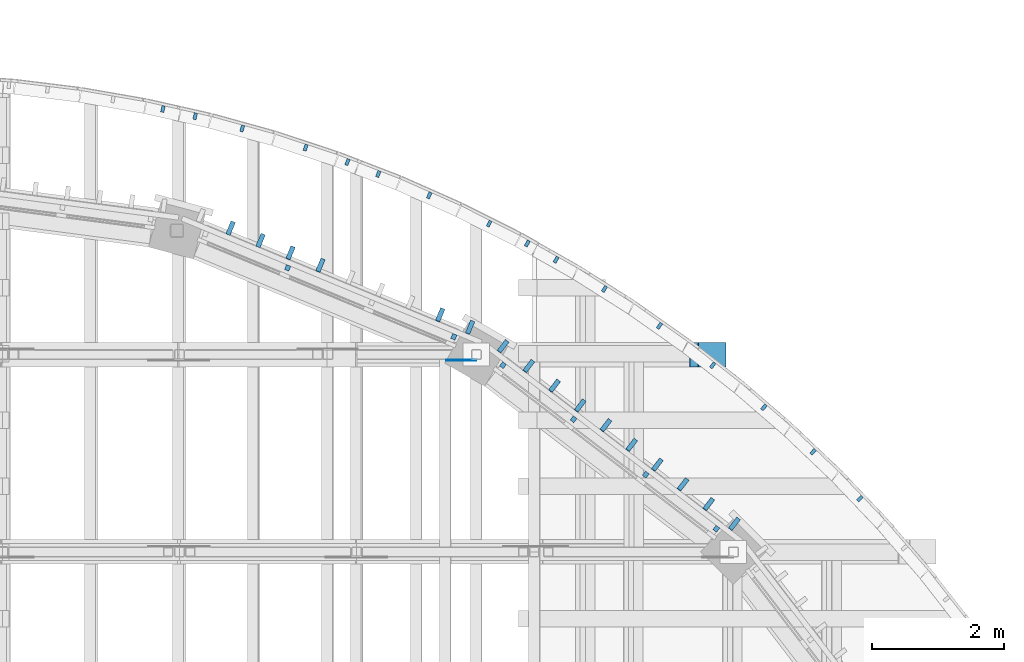
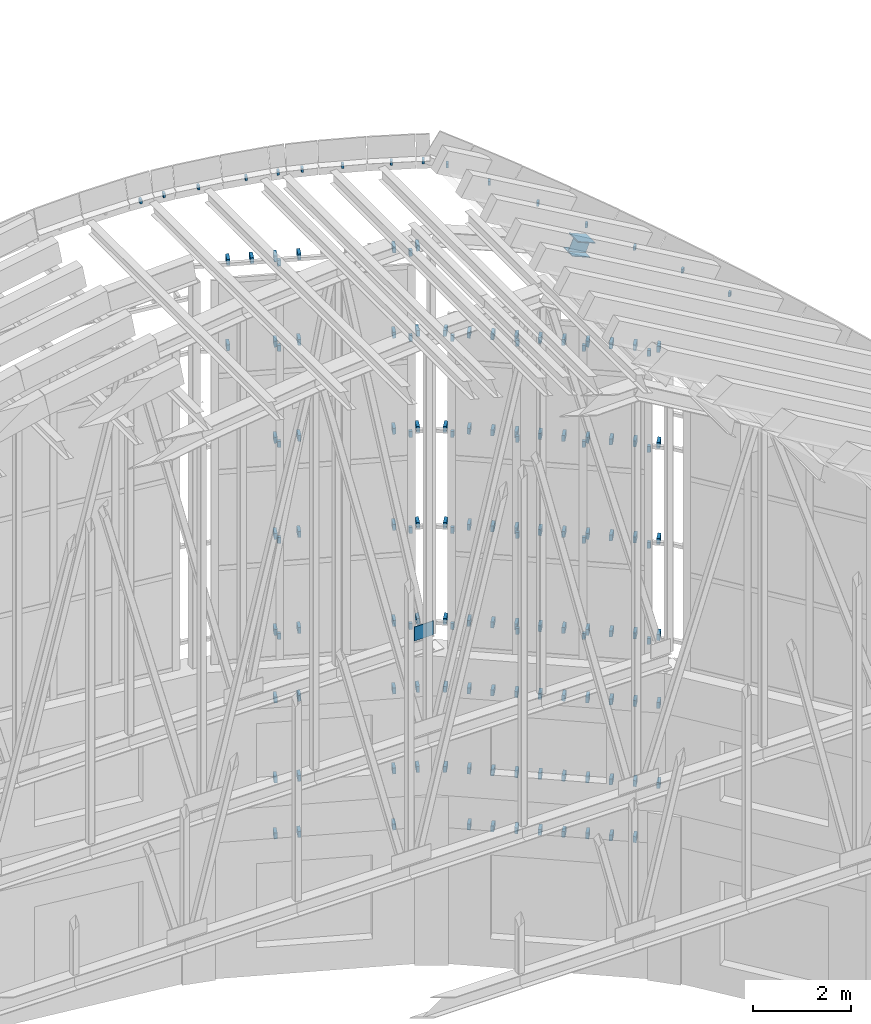
# One storey, part 81 of 105: 146 discrete accessories.
"""IFC4 building model written with IfcOpenShell, lengths in metres."""

from ifc_helpers import new_model, si_unit, direction, frame, origin, origin_2d, place, context, subcontext, project, spatial, polyline, rectangle, i_section, outline, extrude, material, material_profile, profile_set, type_object, element, save


model = new_model("IFC4")

# Units and contexts
model_context = context("Model", 3, precision=1e-05, world=origin(), true_north=direction((0.0, 1.0)))
body_context = subcontext(model_context, "Body", "Model", "MODEL_VIEW")
ifc_project = project(units=[si_unit("LENGTHUNIT", "METRE"), si_unit("AREAUNIT", "SQUARE_METRE"), si_unit("VOLUMEUNIT", "CUBIC_METRE"), si_unit("PLANEANGLEUNIT", "RADIAN"), si_unit("MASSUNIT", "GRAM", prefix="KILO")], contexts=[model_context])

# Site, building, storey
site_placement = place(None, origin())
site = spatial("IfcSite", under=ifc_project, at=site_placement, CompositionType="ELEMENT")
building_placement = place(site_placement, origin())
building = spatial("IfcBuilding", under=site, at=building_placement, Name="Wasatch Bagh Community Centre", CompositionType="ELEMENT")
storey_placement = place(building_placement, frame((0.0, 0.0, 16.800048828125)))
storey = spatial("IfcBuildingStorey", under=building, at=storey_placement, Name="L04", CompositionType="ELEMENT", Elevation=16.800048828125)

# Discrete accessories
ifc_material_1 = material(Name="ASTM A36 steel", Category="steel")
discrete_accessory_type_1 = type_object("IfcDiscreteAccessoryType", Name="MH fascia bracket", PredefinedType="BRACKET", material=ifc_material_1)
for number, where, z_axis, x_axis, name in (
    (1, (40.640625, 84.949462890625, 18.222900390625), (0.0, 0.0, 1.0), (0.219101240157, 0.975702130039, 0.0), "Fascia bracket 129"),
    (2, (41.127685546875, 84.840087890625, 18.27197265625), (0.0, 0.0, 1.0), (0.219101240157, 0.975702130039, 0.0), "Fascia bracket 130"),
    (3, (41.83935546875, 84.655029296875, 18.326904296875), (0.0, 0.0, 1.0), (0.266712757475, 0.963776065795, 0.0), "Fascia bracket 131"),
    (4, (42.797119140625, 84.364501953125, 18.401123046875), (0.0, 0.0, 1.0), (0.313681740399, 0.949528180593, 0.0), "Fascia bracket 132"),
    (5, (43.4287109375, 84.147216796875, 18.449951171875), (0.0, 0.0, 1.0), (0.359895036535, 0.932992798835, 0.0), "Fascia bracket 133"),
    (6, (43.894775390625, 83.967529296875, 18.46875), (0.0, 0.0, 1.0), (0.359895036535, 0.932992798835, 0.0), "Fascia bracket 134"),
    (7, (44.66455078125, 83.644287109375, 18.488525390625), (0.0, 0.0, 1.0), (0.405241314005, 0.914209755704, 0.0), "Fascia bracket 135"),
    (8, (45.5693359375, 83.21630859375, 18.511962890625), (0.0, 0.0, 1.0), (0.449611329655, 0.893224301196, 0.0), "Fascia bracket 136"),
    (9, (46.14599609375, 82.917724609375, 18.526611328125), (0.0, 0.0, 1.0), (0.49289819223, 0.870086991109, 0.0), "Fascia bracket 137"),
    (10, (46.58056640625, 82.671630859375, 18.4228515625), (0.0, 0.0, 1.0), (0.49289819223, 0.870086991109, 0.0), "Fascia bracket 138"),
    (11, (47.310791015625, 82.229736328125, 18.002685546875), (0.0, 0.0, 1.0), (0.534997619887, 0.84485356525, 0.0), "Fascia bracket 139"),
    (12, (48.14306640625, 81.673828125, 17.523193359375), (0.0, 0.0, 1.0), (0.575808191418, 0.817584813152, 0.0), "Fascia bracket 140"),
    (13, (48.947021484375, 81.077392578125, 17.060302734375), (0.0, 0.0, 1.0), (0.615231590581, 0.788346427627, 0.0), "Fascia bracket 141"),
    (14, (49.720703125, 80.4423828125, 16.614501953125), (0.0, 0.0, 1.0), (0.653172842954, 0.757208846506, 0.0), "Fascia bracket 142"),
    (15, (50.46240234375, 79.770263671875, 16.1875), (0.0, 0.0, 1.0), (0.689540544737, 0.724247082951, 0.0), "Fascia bracket 143"),
    (16, (51.170166015625, 79.0625, 15.77978515625), (0.0, 0.0, 1.0), (0.724247082951, 0.689540544737, 0.0), "Fascia bracket 144"),
):
    element("IfcDiscreteAccessory", number, at=place(storey_placement, frame(where, z_axis=z_axis, x_axis=x_axis)), inside=storey, type_object=discrete_accessory_type_1, Name=name, PredefinedType="BRACKET", context=body_context, shape_type="SweptSolid", body=[
        extrude(rectangle(XDim=0.10009765625, YDim=0.050048828125, at=origin_2d()), origin(), (0.0, 0.0, 1.0), 0.10009765625),
    ])
discrete_accessory_type_2 = type_object("IfcDiscreteAccessoryType", Name="MH fin bracket", PredefinedType="BRACKET", material=ifc_material_1)
for number, where, z_axis, x_axis, name in (
    (17, (49.277099609375, 78.684814453125, 4.425048828125), (0.0, 0.0, 1.0), (-0.793353340291, 0.608761429009, 0.0), "Fin bracket 22.1.5"),
    (18, (49.277099609375, 78.684814453125, 6.425048828125), (0.0, 0.0, 1.0), (-0.793353340291, 0.608761429009, 0.0), "Fin bracket 22.1.6"),
    (19, (48.888916015625, 78.98291015625, 3.02490234375), (0.0, 0.0, 1.0), (-0.793353340291, 0.608761429009, 0.0), "Fin bracket 22.2.4"),
    (20, (48.888916015625, 78.98291015625, 4.425048828125), (0.0, 0.0, 1.0), (-0.793353340291, 0.608761429009, 0.0), "Fin bracket 22.2.5"),
    (21, (48.888916015625, 78.98291015625, 6.425048828125), (0.0, 0.0, 1.0), (-0.793353340291, 0.608761429009, 0.0), "Fin bracket 22.2.6"),
    (22, (48.50048828125, 79.28076171875, 3.02490234375), (0.0, 0.0, 1.0), (-0.793353340291, 0.608761429009, 0.0), "Fin bracket 22.3.4"),
    (23, (48.50048828125, 79.28076171875, 4.425048828125), (0.0, 0.0, 1.0), (-0.793353340291, 0.608761429009, 0.0), "Fin bracket 22.3.5"),
    (24, (48.50048828125, 79.28076171875, 6.425048828125), (0.0, 0.0, 1.0), (-0.793353340291, 0.608761429009, 0.0), "Fin bracket 22.3.6"),
    (25, (48.112060546875, 79.578857421875, 3.02490234375), (0.0, 0.0, 1.0), (-0.793353340291, 0.608761429009, 0.0), "Fin bracket 22.4.4"),
    (26, (48.112060546875, 79.578857421875, 4.425048828125), (0.0, 0.0, 1.0), (-0.793353340291, 0.608761429009, 0.0), "Fin bracket 22.4.5"),
    (27, (48.112060546875, 79.578857421875, 6.425048828125), (0.0, 0.0, 1.0), (-0.793353340291, 0.608761429009, 0.0), "Fin bracket 22.4.6"),
    (28, (47.723876953125, 79.876708984375, 3.02490234375), (0.0, 0.0, 1.0), (-0.793353340291, 0.608761429009, 0.0), "Fin bracket 22.5.4"),
    (29, (47.723876953125, 79.876708984375, 4.425048828125), (0.0, 0.0, 1.0), (-0.793353340291, 0.608761429009, 0.0), "Fin bracket 22.5.5"),
    (30, (47.723876953125, 79.876708984375, 6.425048828125), (0.0, 0.0, 1.0), (-0.793353340291, 0.608761429009, 0.0), "Fin bracket 22.5.6"),
    (31, (47.33544921875, 80.1748046875, 3.02490234375), (0.0, 0.0, 1.0), (-0.793353340291, 0.608761429009, 0.0), "Fin bracket 22.6.4"),
    (32, (47.33544921875, 80.1748046875, 4.425048828125), (0.0, 0.0, 1.0), (-0.793353340291, 0.608761429009, 0.0), "Fin bracket 22.6.5"),
    (33, (47.33544921875, 80.1748046875, 6.425048828125), (0.0, 0.0, 1.0), (-0.793353340291, 0.608761429009, 0.0), "Fin bracket 22.6.6"),
    (34, (46.947265625, 80.47265625, 3.02490234375), (0.0, 0.0, 1.0), (-0.793353340291, 0.608761429009, 0.0), "Fin bracket 22.7.4"),
    (35, (46.947265625, 80.47265625, 4.425048828125), (0.0, 0.0, 1.0), (-0.793353340291, 0.608761429009, 0.0), "Fin bracket 22.7.5"),
    (36, (46.947265625, 80.47265625, 6.425048828125), (0.0, 0.0, 1.0), (-0.793353340291, 0.608761429009, 0.0), "Fin bracket 22.7.6"),
    (37, (46.558837890625, 80.770751953125, 3.02490234375), (0.0, 0.0, 1.0), (-0.793353340291, 0.608761429009, 0.0), "Fin bracket 22.8.4"),
    (38, (46.558837890625, 80.770751953125, 4.425048828125), (0.0, 0.0, 1.0), (-0.793353340291, 0.608761429009, 0.0), "Fin bracket 22.8.5"),
    (39, (46.558837890625, 80.770751953125, 6.425048828125), (0.0, 0.0, 1.0), (-0.793353340291, 0.608761429009, 0.0), "Fin bracket 22.8.6"),
    (40, (46.170654296875, 81.068603515625, 3.02490234375), (0.0, 0.0, 1.0), (-0.793353340291, 0.608761429009, 0.0), "Fin bracket 22.9.4"),
    (41, (46.170654296875, 81.068603515625, 4.425048828125), (0.0, 0.0, 1.0), (-0.793353340291, 0.608761429009, 0.0), "Fin bracket 22.9.5"),
    (42, (46.170654296875, 81.068603515625, 6.425048828125), (0.0, 0.0, 1.0), (-0.793353340291, 0.608761429009, 0.0), "Fin bracket 22.9.6"),
    (43, (45.7822265625, 81.36669921875, 4.425048828125), (0.0, 0.0, 1.0), (-0.793353340291, 0.608761429009, 0.0), "Fin bracket 22.10.5"),
    (44, (45.7822265625, 81.36669921875, 6.425048828125), (0.0, 0.0, 1.0), (-0.793353340291, 0.608761429009, 0.0), "Fin bracket 22.10.6"),
    (45, (45.28271484375, 81.655029296875, 4.425048828125), (0.0, 0.0, 1.0), (-0.923879532511, 0.382683432365, 0.0), "Fin bracket 23.1.5"),
    (46, (45.28271484375, 81.655029296875, 6.425048828125), (0.0, 0.0, 1.0), (-0.923879532511, 0.382683432365, 0.0), "Fin bracket 23.1.6"),
    (47, (44.83056640625, 81.84228515625, 3.02490234375), (0.0, 0.0, 1.0), (-0.923879532511, 0.382683432365, 0.0), "Fin bracket 23.2.4"),
    (48, (44.83056640625, 81.84228515625, 4.425048828125), (0.0, 0.0, 1.0), (-0.923879532511, 0.382683432365, 0.0), "Fin bracket 23.2.5"),
    (49, (44.83056640625, 81.84228515625, 6.425048828125), (0.0, 0.0, 1.0), (-0.923879532511, 0.382683432365, 0.0), "Fin bracket 23.2.6"),
    (50, (43.021728515625, 82.591552734375, 3.02490234375), (0.0, 0.0, 1.0), (-0.923879532511, 0.382683432365, 0.0), "Fin bracket 23.6.4"),
    (51, (43.021728515625, 82.591552734375, 4.425048828125), (0.0, 0.0, 1.0), (-0.923879532511, 0.382683432365, 0.0), "Fin bracket 23.6.5"),
    (52, (43.021728515625, 82.591552734375, 6.425048828125), (0.0, 0.0, 1.0), (-0.923879532511, 0.382683432365, 0.0), "Fin bracket 23.6.6"),
    (53, (42.569580078125, 82.77880859375, 3.02490234375), (0.0, 0.0, 1.0), (-0.923879532511, 0.382683432365, 0.0), "Fin bracket 23.7.4"),
    (54, (42.569580078125, 82.77880859375, 4.425048828125), (0.0, 0.0, 1.0), (-0.923879532511, 0.382683432365, 0.0), "Fin bracket 23.7.5"),
    (55, (42.569580078125, 82.77880859375, 6.425048828125), (0.0, 0.0, 1.0), (-0.923879532511, 0.382683432365, 0.0), "Fin bracket 23.7.6"),
):
    element("IfcDiscreteAccessory", number, at=place(storey_placement, frame(where, z_axis=z_axis, x_axis=x_axis)), inside=storey, type_object=discrete_accessory_type_2, Name=name, PredefinedType="BRACKET", context=body_context, shape_type="SweptSolid", body=[
        extrude(rectangle(XDim=0.070068359375, YDim=0.199951171875, at=origin_2d()), origin(), (0.0, 0.0, 1.0), 0.14990234375),
    ])
discrete_accessory_type_3 = type_object("IfcDiscreteAccessoryType", Name="MH fin bracket (rail)", PredefinedType="BRACKET", material=ifc_material_1)
for number, where, z_axis, x_axis, name in (
    (56, (49.274169921875, 78.680908203125, 8.125), (0.0, 0.0, 1.0), (-0.793353340291, 0.608761429009, 0.0), "Fin bracket 22.1.r1"),
    (57, (48.8857421875, 78.97900390625, 8.125), (0.0, 0.0, 1.0), (-0.793353340291, 0.608761429009, 0.0), "Fin bracket 22.2.r1"),
    (58, (48.49755859375, 79.27685546875, 8.125), (0.0, 0.0, 1.0), (-0.793353340291, 0.608761429009, 0.0), "Fin bracket 22.3.r1"),
    (59, (48.109130859375, 79.574951171875, 8.125), (0.0, 0.0, 1.0), (-0.793353340291, 0.608761429009, 0.0), "Fin bracket 22.4.r1"),
    (60, (47.720703125, 79.872802734375, 8.125), (0.0, 0.0, 1.0), (-0.793353340291, 0.608761429009, 0.0), "Fin bracket 22.5.r1"),
    (61, (47.33251953125, 80.1708984375, 8.125), (0.0, 0.0, 1.0), (-0.793353340291, 0.608761429009, 0.0), "Fin bracket 22.6.r1"),
    (62, (46.944091796875, 80.46875, 8.125), (0.0, 0.0, 1.0), (-0.793353340291, 0.608761429009, 0.0), "Fin bracket 22.7.r1"),
    (63, (46.555908203125, 80.766845703125, 8.125), (0.0, 0.0, 1.0), (-0.793353340291, 0.608761429009, 0.0), "Fin bracket 22.8.r1"),
    (64, (46.16748046875, 81.064697265625, 8.125), (0.0, 0.0, 1.0), (-0.793353340291, 0.608761429009, 0.0), "Fin bracket 22.9.r1"),
    (65, (45.779296875, 81.36279296875, 8.125), (0.0, 0.0, 1.0), (-0.793353340291, 0.608761429009, 0.0), "Fin bracket 22.10.r1"),
    (66, (49.274169921875, 78.680908203125, 10.52490234375), (0.0, 0.0, 1.0), (-0.793353340291, 0.608761429009, 0.0), "Fin bracket 22.1.r2"),
    (67, (48.8857421875, 78.97900390625, 10.52490234375), (0.0, 0.0, 1.0), (-0.793353340291, 0.608761429009, 0.0), "Fin bracket 22.2.r2"),
    (68, (48.49755859375, 79.27685546875, 10.52490234375), (0.0, 0.0, 1.0), (-0.793353340291, 0.608761429009, 0.0), "Fin bracket 22.3.r2"),
    (69, (48.109130859375, 79.574951171875, 10.52490234375), (0.0, 0.0, 1.0), (-0.793353340291, 0.608761429009, 0.0), "Fin bracket 22.4.r2"),
    (70, (47.720703125, 79.872802734375, 10.52490234375), (0.0, 0.0, 1.0), (-0.793353340291, 0.608761429009, 0.0), "Fin bracket 22.5.r2"),
    (71, (47.33251953125, 80.1708984375, 10.52490234375), (0.0, 0.0, 1.0), (-0.793353340291, 0.608761429009, 0.0), "Fin bracket 22.6.r2"),
    (72, (46.944091796875, 80.46875, 10.52490234375), (0.0, 0.0, 1.0), (-0.793353340291, 0.608761429009, 0.0), "Fin bracket 22.7.r2"),
    (73, (46.555908203125, 80.766845703125, 10.52490234375), (0.0, 0.0, 1.0), (-0.793353340291, 0.608761429009, 0.0), "Fin bracket 22.8.r2"),
    (74, (46.16748046875, 81.064697265625, 10.52490234375), (0.0, 0.0, 1.0), (-0.793353340291, 0.608761429009, 0.0), "Fin bracket 22.9.r2"),
    (75, (45.779296875, 81.36279296875, 10.52490234375), (0.0, 0.0, 1.0), (-0.793353340291, 0.608761429009, 0.0), "Fin bracket 22.10.r2"),
    (76, (49.274169921875, 78.680908203125, 12.925048828125), (0.0, 0.0, 1.0), (-0.793353340291, 0.608761429009, 0.0), "Fin bracket 22.1.r3"),
    (77, (48.8857421875, 78.97900390625, 12.925048828125), (0.0, 0.0, 1.0), (-0.793353340291, 0.608761429009, 0.0), "Fin bracket 22.2.r3"),
    (78, (48.49755859375, 79.27685546875, 12.925048828125), (0.0, 0.0, 1.0), (-0.793353340291, 0.608761429009, 0.0), "Fin bracket 22.3.r3"),
    (79, (48.109130859375, 79.574951171875, 12.925048828125), (0.0, 0.0, 1.0), (-0.793353340291, 0.608761429009, 0.0), "Fin bracket 22.4.r3"),
    (80, (47.720703125, 79.872802734375, 12.925048828125), (0.0, 0.0, 1.0), (-0.793353340291, 0.608761429009, 0.0), "Fin bracket 22.5.r3"),
    (81, (47.33251953125, 80.1708984375, 12.925048828125), (0.0, 0.0, 1.0), (-0.793353340291, 0.608761429009, 0.0), "Fin bracket 22.6.r3"),
    (82, (46.944091796875, 80.46875, 12.925048828125), (0.0, 0.0, 1.0), (-0.793353340291, 0.608761429009, 0.0), "Fin bracket 22.7.r3"),
    (83, (46.555908203125, 80.766845703125, 12.925048828125), (0.0, 0.0, 1.0), (-0.793353340291, 0.608761429009, 0.0), "Fin bracket 22.8.r3"),
    (84, (46.16748046875, 81.064697265625, 12.925048828125), (0.0, 0.0, 1.0), (-0.793353340291, 0.608761429009, 0.0), "Fin bracket 22.9.r3"),
    (85, (45.779296875, 81.36279296875, 12.925048828125), (0.0, 0.0, 1.0), (-0.793353340291, 0.608761429009, 0.0), "Fin bracket 22.10.r3"),
    (86, (49.274169921875, 78.680908203125, 15.324951171875), (0.0, 0.0, 1.0), (-0.793353340291, 0.608761429009, 0.0), "Fin bracket 22.1.r4"),
    (87, (48.8857421875, 78.97900390625, 15.324951171875), (0.0, 0.0, 1.0), (-0.793353340291, 0.608761429009, 0.0), "Fin bracket 22.2.r4"),
    (88, (48.49755859375, 79.27685546875, 15.324951171875), (0.0, 0.0, 1.0), (-0.793353340291, 0.608761429009, 0.0), "Fin bracket 22.3.r4"),
    (89, (48.109130859375, 79.574951171875, 15.324951171875), (0.0, 0.0, 1.0), (-0.793353340291, 0.608761429009, 0.0), "Fin bracket 22.4.r4"),
    (90, (47.720703125, 79.872802734375, 15.324951171875), (0.0, 0.0, 1.0), (-0.793353340291, 0.608761429009, 0.0), "Fin bracket 22.5.r4"),
    (91, (47.33251953125, 80.1708984375, 15.324951171875), (0.0, 0.0, 1.0), (-0.793353340291, 0.608761429009, 0.0), "Fin bracket 22.6.r4"),
    (92, (46.944091796875, 80.46875, 15.324951171875), (0.0, 0.0, 1.0), (-0.793353340291, 0.608761429009, 0.0), "Fin bracket 22.7.r4"),
    (93, (46.555908203125, 80.766845703125, 15.324951171875), (0.0, 0.0, 1.0), (-0.793353340291, 0.608761429009, 0.0), "Fin bracket 22.8.r4"),
    (94, (46.16748046875, 81.064697265625, 15.324951171875), (0.0, 0.0, 1.0), (-0.793353340291, 0.608761429009, 0.0), "Fin bracket 22.9.r4"),
    (95, (45.779296875, 81.36279296875, 15.324951171875), (0.0, 0.0, 1.0), (-0.793353340291, 0.608761429009, 0.0), "Fin bracket 22.10.r4"),
    (96, (45.281005859375, 81.650390625, 8.125), (0.0, 0.0, 1.0), (-0.923879532511, 0.382683432365, 0.0), "Fin bracket 23.1.r1"),
    (97, (44.82861328125, 81.837646484375, 8.125), (0.0, 0.0, 1.0), (-0.923879532511, 0.382683432365, 0.0), "Fin bracket 23.2.r1"),
    (98, (43.019775390625, 82.5869140625, 8.125), (0.0, 0.0, 1.0), (-0.923879532511, 0.382683432365, 0.0), "Fin bracket 23.6.r1"),
    (99, (42.567626953125, 82.774169921875, 8.125), (0.0, 0.0, 1.0), (-0.923879532511, 0.382683432365, 0.0), "Fin bracket 23.7.r1"),
    (100, (45.281005859375, 81.650390625, 10.52490234375), (0.0, 0.0, 1.0), (-0.923879532511, 0.382683432365, 0.0), "Fin bracket 23.1.r2"),
    (101, (44.82861328125, 81.837646484375, 10.52490234375), (0.0, 0.0, 1.0), (-0.923879532511, 0.382683432365, 0.0), "Fin bracket 23.2.r2"),
    (102, (43.019775390625, 82.5869140625, 10.52490234375), (0.0, 0.0, 1.0), (-0.923879532511, 0.382683432365, 0.0), "Fin bracket 23.6.r2"),
    (103, (42.567626953125, 82.774169921875, 10.52490234375), (0.0, 0.0, 1.0), (-0.923879532511, 0.382683432365, 0.0), "Fin bracket 23.7.r2"),
    (104, (45.281005859375, 81.650390625, 12.925048828125), (0.0, 0.0, 1.0), (-0.923879532511, 0.382683432365, 0.0), "Fin bracket 23.1.r3"),
    (105, (44.82861328125, 81.837646484375, 12.925048828125), (0.0, 0.0, 1.0), (-0.923879532511, 0.382683432365, 0.0), "Fin bracket 23.2.r3"),
    (106, (43.019775390625, 82.5869140625, 12.925048828125), (0.0, 0.0, 1.0), (-0.923879532511, 0.382683432365, 0.0), "Fin bracket 23.6.r3"),
    (107, (42.567626953125, 82.774169921875, 12.925048828125), (0.0, 0.0, 1.0), (-0.923879532511, 0.382683432365, 0.0), "Fin bracket 23.7.r3"),
    (108, (45.281005859375, 81.650390625, 15.324951171875), (0.0, 0.0, 1.0), (-0.923879532511, 0.382683432365, 0.0), "Fin bracket 23.1.r4"),
    (109, (44.82861328125, 81.837646484375, 15.324951171875), (0.0, 0.0, 1.0), (-0.923879532511, 0.382683432365, 0.0), "Fin bracket 23.2.r4"),
    (110, (43.019775390625, 82.5869140625, 15.324951171875), (0.0, 0.0, 1.0), (-0.923879532511, 0.382683432365, 0.0), "Fin bracket 23.6.r4"),
    (111, (42.567626953125, 82.774169921875, 15.324951171875), (0.0, 0.0, 1.0), (-0.923879532511, 0.382683432365, 0.0), "Fin bracket 23.7.r4"),
    (112, (41.6630859375, 83.14892578125, 15.324951171875), (0.0, 0.0, 1.0), (-0.923879532511, 0.382683432365, 0.0), "Fin bracket 23.9.r4"),
    (113, (45.281005859375, 81.650390625, 17.455078125), (0.0, 0.0, 1.0), (-0.923879532511, 0.382683432365, 0.0), "Fin bracket 23.1.r5"),
    (114, (44.82861328125, 81.837646484375, 17.455078125), (0.0, 0.0, 1.0), (-0.923879532511, 0.382683432365, 0.0), "Fin bracket 23.2.r5"),
    (115, (43.019775390625, 82.5869140625, 17.455078125), (0.0, 0.0, 1.0), (-0.923879532511, 0.382683432365, 0.0), "Fin bracket 23.6.r5"),
    (116, (42.567626953125, 82.774169921875, 17.455078125), (0.0, 0.0, 1.0), (-0.923879532511, 0.382683432365, 0.0), "Fin bracket 23.7.r5"),
    (117, (42.115478515625, 82.961669921875, 17.455078125), (0.0, 0.0, 1.0), (-0.923879532511, 0.382683432365, 0.0), "Fin bracket 23.8.r5"),
    (118, (41.6630859375, 83.14892578125, 17.455078125), (0.0, 0.0, 1.0), (-0.923879532511, 0.382683432365, 0.0), "Fin bracket 23.9.r5"),
):
    element("IfcDiscreteAccessory", number, at=place(storey_placement, frame(where, z_axis=z_axis, x_axis=x_axis)), inside=storey, type_object=discrete_accessory_type_3, Name=name, PredefinedType="BRACKET", context=body_context, shape_type="SweptSolid", body=[
        extrude(rectangle(XDim=0.070068359375, YDim=0.2099609375, at=origin_2d()), origin(), (0.0, 0.0, 1.0), 0.14990234375),
    ])
discrete_accessory_type_4 = type_object("IfcDiscreteAccessoryType", Name="MH fin rail stand-off", PredefinedType="BRACKET", material=ifc_material_1)
for number, where, z_axis, x_axis, name in (
    (119, (49.0009765625, 78.60693359375, 8.125), (0.0, 0.0, 1.0), (-0.793353340291, 0.608761429009, 0.0), "Rail stand-off 22.1.1"),
    (120, (47.934814453125, 79.425048828125, 8.125), (0.0, 0.0, 1.0), (-0.793353340291, 0.608761429009, 0.0), "Rail stand-off 22.1.2"),
    (121, (46.8447265625, 80.261474609375, 8.125), (0.0, 0.0, 1.0), (-0.793353340291, 0.608761429009, 0.0), "Rail stand-off 22.1.3"),
    (122, (45.7783203125, 81.07958984375, 8.125), (0.0, 0.0, 1.0), (-0.793353340291, 0.608761429009, 0.0), "Rail stand-off 22.1.4"),
    (123, (49.0009765625, 78.60693359375, 10.52490234375), (0.0, 0.0, 1.0), (-0.793353340291, 0.608761429009, 0.0), "Rail stand-off 22.2.1"),
    (124, (47.934814453125, 79.425048828125, 10.52490234375), (0.0, 0.0, 1.0), (-0.793353340291, 0.608761429009, 0.0), "Rail stand-off 22.2.2"),
    (125, (46.8447265625, 80.261474609375, 10.52490234375), (0.0, 0.0, 1.0), (-0.793353340291, 0.608761429009, 0.0), "Rail stand-off 22.2.3"),
    (126, (45.7783203125, 81.07958984375, 10.52490234375), (0.0, 0.0, 1.0), (-0.793353340291, 0.608761429009, 0.0), "Rail stand-off 22.2.4"),
    (127, (49.0009765625, 78.60693359375, 12.925048828125), (0.0, 0.0, 1.0), (-0.793353340291, 0.608761429009, 0.0), "Rail stand-off 22.3.1"),
    (128, (47.934814453125, 79.425048828125, 12.925048828125), (0.0, 0.0, 1.0), (-0.793353340291, 0.608761429009, 0.0), "Rail stand-off 22.3.2"),
    (129, (46.8447265625, 80.261474609375, 12.925048828125), (0.0, 0.0, 1.0), (-0.793353340291, 0.608761429009, 0.0), "Rail stand-off 22.3.3"),
    (130, (45.7783203125, 81.07958984375, 12.925048828125), (0.0, 0.0, 1.0), (-0.793353340291, 0.608761429009, 0.0), "Rail stand-off 22.3.4"),
    (131, (49.0009765625, 78.60693359375, 15.324951171875), (0.0, 0.0, 1.0), (-0.793353340291, 0.608761429009, 0.0), "Rail stand-off 22.4.1"),
    (132, (47.934814453125, 79.425048828125, 15.324951171875), (0.0, 0.0, 1.0), (-0.793353340291, 0.608761429009, 0.0), "Rail stand-off 22.4.2"),
    (133, (46.8447265625, 80.261474609375, 15.324951171875), (0.0, 0.0, 1.0), (-0.793353340291, 0.608761429009, 0.0), "Rail stand-off 22.4.3"),
    (134, (45.7783203125, 81.07958984375, 15.324951171875), (0.0, 0.0, 1.0), (-0.793353340291, 0.608761429009, 0.0), "Rail stand-off 22.4.4"),
    (135, (45.0361328125, 81.50830078125, 8.125), (0.0, 0.0, 1.0), (-0.923879532511, 0.382683432365, 0.0), "Rail stand-off 23.1.1"),
    (136, (42.525146484375, 82.54833984375, 8.125), (0.0, 0.0, 1.0), (-0.923879532511, 0.382683432365, 0.0), "Rail stand-off 23.1.3"),
    (137, (45.0361328125, 81.50830078125, 10.52490234375), (0.0, 0.0, 1.0), (-0.923879532511, 0.382683432365, 0.0), "Rail stand-off 23.2.1"),
    (138, (42.525146484375, 82.54833984375, 10.52490234375), (0.0, 0.0, 1.0), (-0.923879532511, 0.382683432365, 0.0), "Rail stand-off 23.2.3"),
    (139, (45.0361328125, 81.50830078125, 12.925048828125), (0.0, 0.0, 1.0), (-0.923879532511, 0.382683432365, 0.0), "Rail stand-off 23.3.1"),
    (140, (42.525146484375, 82.54833984375, 12.925048828125), (0.0, 0.0, 1.0), (-0.923879532511, 0.382683432365, 0.0), "Rail stand-off 23.3.3"),
    (141, (45.0361328125, 81.50830078125, 15.324951171875), (0.0, 0.0, 1.0), (-0.923879532511, 0.382683432365, 0.0), "Rail stand-off 23.4.1"),
    (142, (42.525146484375, 82.54833984375, 15.324951171875), (0.0, 0.0, 1.0), (-0.923879532511, 0.382683432365, 0.0), "Rail stand-off 23.4.3"),
    (143, (45.0361328125, 81.50830078125, 17.455078125), (0.0, 0.0, 1.0), (-0.923879532511, 0.382683432365, 0.0), "Rail stand-off 23.5.1"),
    (144, (42.525146484375, 82.54833984375, 17.455078125), (0.0, 0.0, 1.0), (-0.923879532511, 0.382683432365, 0.0), "Rail stand-off 23.5.3"),
):
    element("IfcDiscreteAccessory", number, at=place(storey_placement, frame(where, z_axis=z_axis, x_axis=x_axis)), inside=storey, type_object=discrete_accessory_type_4, Name=name, PredefinedType="BRACKET", context=body_context, shape_type="SweptSolid", body=[
        extrude(rectangle(XDim=0.070068359375, YDim=0.080078125, at=origin_2d()), origin(), (0.0, 0.0, 1.0), 0.14990234375),
    ])
ifc_material_2 = material(Name="ASTM A992 Grade 50 steel", Category="steel")
ifc_material_profile = material_profile(ifc_material_2, i_section(OverallWidth=0.368408203125, OverallDepth=0.355712890625, WebThickness=0.01123046875, FlangeThickness=0.01806640625, at=origin_2d()), Name="W14x90")
ifc_profile_set = profile_set([ifc_material_profile], Name="ASTM A992 Grade 50 steel")
discrete_accessory_type_5 = type_object("IfcDiscreteAccessoryType", Name="MH steel truss tail W14x90", PredefinedType="BRACKET", material=ifc_profile_set)
discrete_accessory_1_placement = place(storey_placement, frame((48.665771484375, 81.238037109375, 16.612548828125), z_axis=(0.921706841804, 0.0, -0.387887223007), x_axis=(0.0, 1.0, 0.0)))
element("IfcDiscreteAccessory", 145, at=discrete_accessory_1_placement, inside=storey, type_object=discrete_accessory_type_5, Name="Truss tail TN4", PredefinedType="BRACKET", context=body_context, shape_type="SweptSolid", body=[
    extrude(i_section(OverallWidth=0.368408203125, OverallDepth=0.355712890625, WebThickness=0.01123046875, FlangeThickness=0.01806640625, at=origin_2d()), origin(), (0.0, 0.0, 1.0), 0.449951171875),
])
discrete_accessory_2_placement = place(storey_placement, frame((44.92041015625, 81.149169921875, 8.071044921875), z_axis=(0.0, -1.0, 0.0), x_axis=(1.0, 0.0, 0.0)))
element("IfcDiscreteAccessory", 146, at=discrete_accessory_2_placement, inside=storey, Name="Gusset plate", PredefinedType="BRACKET", context=body_context, shape_type="SweptSolid", body=[
    extrude(outline(polyline([(0.0, 0.0), (0.45458984375, 0.0), (0.45458984375, 0.35009765625), (0.0, 0.35009765625), (0.0, 0.0)])), origin(), (0.0, 0.0, -1.0), 0.011962890625),
])

save(model, "model.ifc")
